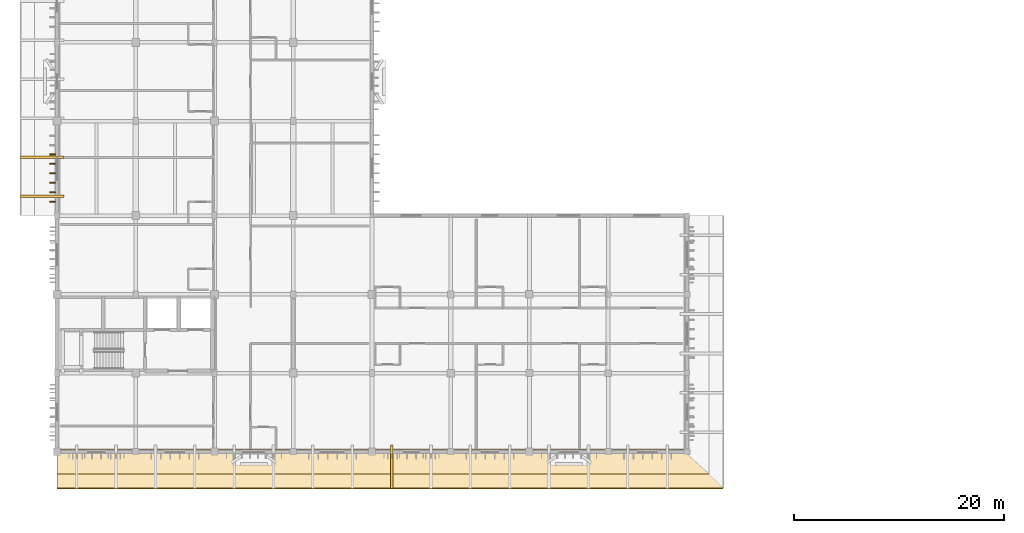
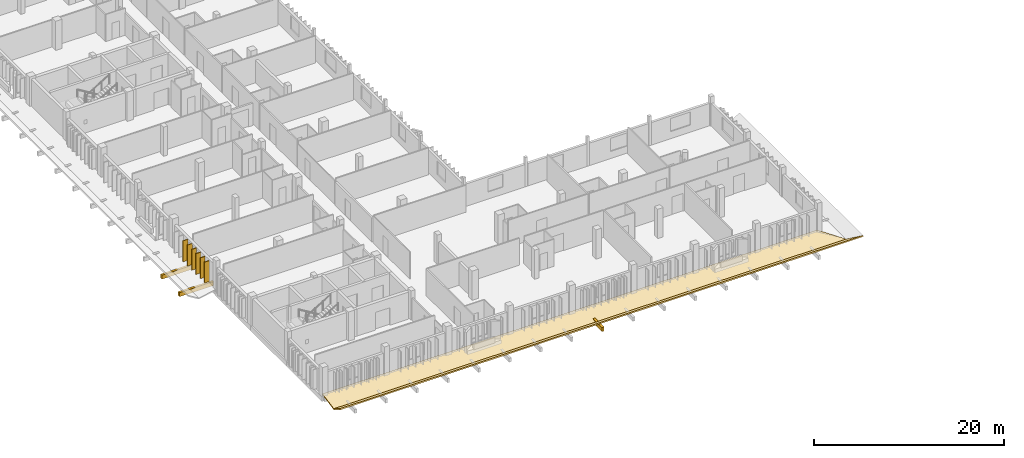
# One storey, part 28 of 43: 11 coverings.
"""IFC4 building model written with IfcOpenShell, lengths in metres."""

from ifc_helpers import new_model, si_unit, direction, frame, origin, origin_2d, place, context, subcontext, project, spatial, polyline, rectangle, outline, extrude, material, layer, layer_set, type_object, element, save


model = new_model("IFC4")

# Units and contexts
model_context = context("Model", 3, precision=1e-05, world=origin(), true_north=direction((0.0, 1.0)))
body_context = subcontext(model_context, "Body", "Model", "MODEL_VIEW")
ifc_project = project(units=[si_unit("LENGTHUNIT", "METRE"), si_unit("AREAUNIT", "SQUARE_METRE"), si_unit("VOLUMEUNIT", "CUBIC_METRE"), si_unit("PLANEANGLEUNIT", "RADIAN"), si_unit("MASSUNIT", "GRAM", prefix="KILO")], contexts=[model_context])

# Site, building, storey
site_placement = place(None, origin())
site = spatial("IfcSite", under=ifc_project, at=site_placement, CompositionType="ELEMENT")
building_placement = place(site_placement, origin())
building = spatial("IfcBuilding", under=site, at=building_placement, Name="Dalvernix Boulevard General Hospital", CompositionType="ELEMENT")
storey_placement = place(building_placement, frame((0.0, 0.0, 14.10009765625)))
storey = spatial("IfcBuildingStorey", under=building, at=storey_placement, Name="L03", CompositionType="ELEMENT", Elevation=14.10009765625)

# Coverings
ifc_material_1 = material(Name="Glazed Catalan terracotta and iroko timber overhanging upturned eave", Category="masonry")
ifc_layer_1 = layer(ifc_material_1, 0.139892578125)
ifc_layer_set_1 = layer_set([ifc_layer_1], Name="Glazed Catalan terracotta and iroko timber overhanging upturned eave (COV-EAVE-01)")
covering_type_1 = type_object("IfcCoveringType", Name="COV-EAVE-01", PredefinedType="CLADDING", material=ifc_layer_set_1)
covering_1_placement = place(storey_placement, frame((0.0, 0.25, -0.06005859375), z_axis=(0.0, -0.192259352231, 0.981344150377), x_axis=(1.0, 0.0, 0.0)))
element("IfcCovering", 1, at=covering_1_placement, inside=storey, type_object=covering_type_1, Name="TIER-V4-BASE overhanging ceramic eave skirt S", PredefinedType="CLADDING", context=body_context, shape_type="SweptSolid", body=[
    extrude(outline(polyline([(0.0, 0.0), (60.0, 0.0), (62.199951171875, -2.4965259852349138), (0.0, -2.4965259852349138), (0.0, 0.0)])), origin(), (0.0, 0.0, -1.0), 0.139892578125),
])
covering_2_placement = place(storey_placement, frame((0.0, -2.1201171875, -0.5400390625), z_axis=(0.0, 0.524777364287, 0.851239518544), x_axis=(1.0, 0.0, 0.0)))
element("IfcCovering", 2, at=covering_2_placement, inside=storey, type_object=covering_type_1, Name="TIER-V4-BASE upturned ceramic eave wing S", PredefinedType="CLADDING", context=body_context, shape_type="SweptSolid", body=[
    extrude(outline(polyline([(0.0, 0.0), (62.199951171875, 0.0), (63.449951171875, -1.5622324332978548), (0.0, -1.5622324332978548), (0.0, 0.0)])), origin(), (0.0, 0.0, -1.0), 0.139892578125),
])
ifc_material_2 = material(Name="Terracotta-clad iroko timber brise-soleil sun-breaker fin", Category="masonry")
ifc_layer_2 = layer(ifc_material_2, 0.10009765625)
ifc_layer_set_2 = layer_set([ifc_layer_2], Name="Terracotta-clad iroko timber brise-soleil sun-breaker fin (COV-FIN-02)")
covering_type_2 = type_object("IfcCoveringType", Name="COV-FIN-02", PredefinedType="CLADDING", material=ifc_layer_set_2)
for number, where, z_axis, x_axis, name in (
    (3, (-0.419921875, 23.824951171875, 0.1201171875), (0.0, 0.0, 1.0), (0.0, 1.0, 0.0), "L03 terracotta brise-soleil fin W 0-3-1"),
    (4, (-0.419921875, 24.72509765625, 0.1201171875), (0.0, 0.0, 1.0), (0.0, 1.0, 0.0), "L03 terracotta brise-soleil fin W 0-3-2"),
    (5, (-0.419921875, 25.625, 0.1201171875), (0.0, 0.0, 1.0), (0.0, 1.0, 0.0), "L03 terracotta brise-soleil fin W 0-3-3"),
    (6, (-0.419921875, 26.52490234375, 0.1201171875), (0.0, 0.0, 1.0), (0.0, 1.0, 0.0), "L03 terracotta brise-soleil fin W 0-3-4"),
    (7, (-0.419921875, 27.425048828125, 0.1201171875), (0.0, 0.0, 1.0), (0.0, 1.0, 0.0), "L03 terracotta brise-soleil fin W 0-3-5"),
    (8, (-0.419921875, 28.324951171875, 0.1201171875), (0.0, 0.0, 1.0), (0.0, 1.0, 0.0), "L03 terracotta brise-soleil fin W 0-3-6"),
):
    element("IfcCovering", number, at=place(storey_placement, frame(where, z_axis=z_axis, x_axis=x_axis)), inside=storey, type_object=covering_type_2, Name=name, PredefinedType="CLADDING", context=body_context, shape_type="SweptSolid", body=[
        extrude(rectangle(XDim=0.10009765625, YDim=0.580078125, at=origin_2d()), origin(), (0.0, 0.0, 1.0), 2.679931640625),
    ])
ifc_material_3 = material(Name="Preservative-treated glulam GL28h eave outlooker corbel bracket", Category="wood")
ifc_layer_3 = layer(ifc_material_3, 0.239990234375)
ifc_layer_set_3 = layer_set([ifc_layer_3], Name="Preservative-treated glulam GL28h eave outlooker corbel bracket (COV-OUTLOOK-01)")
covering_type_3 = type_object("IfcCoveringType", Name="COV-OUTLOOK-01", PredefinedType="CLADDING", material=ifc_layer_set_3)
covering_3_placement = place(storey_placement, frame((31.875, -1.425048828125, -0.940185546875), z_axis=(0.0, 0.0, 1.0), x_axis=(1.0, 0.0, 0.0)))
element("IfcCovering", 9, at=covering_3_placement, inside=storey, type_object=covering_type_3, Name="TIER-V4-BASE glulam eave outlooker corbel S-9", PredefinedType="CLADDING", context=body_context, shape_type="SweptSolid", body=[
    extrude(rectangle(XDim=0.260009765625, YDim=4.14990234375, at=origin_2d()), origin(), (0.0, 0.0, 1.0), 0.52001953125),
])
for number, where, z_axis, x_axis, name in (
    (10, (-1.425048828125, 24.355224609375, -0.940185546875), (0.0, 0.0, 1.0), (1.0, 0.0, 0.0), "TIER-V4-WEST glulam eave outlooker corbel W-1"),
    (11, (-1.425048828125, 28.06591796875, -0.940185546875), (0.0, 0.0, 1.0), (1.0, 0.0, 0.0), "TIER-V4-WEST glulam eave outlooker corbel W-2"),
):
    element("IfcCovering", number, at=place(storey_placement, frame(where, z_axis=z_axis, x_axis=x_axis)), inside=storey, type_object=covering_type_3, Name=name, PredefinedType="CLADDING", context=body_context, shape_type="SweptSolid", body=[
        extrude(rectangle(XDim=4.14990234375, YDim=0.260009765625, at=origin_2d()), origin(), (0.0, 0.0, 1.0), 0.52001953125),
    ])

save(model, "model.ifc")
